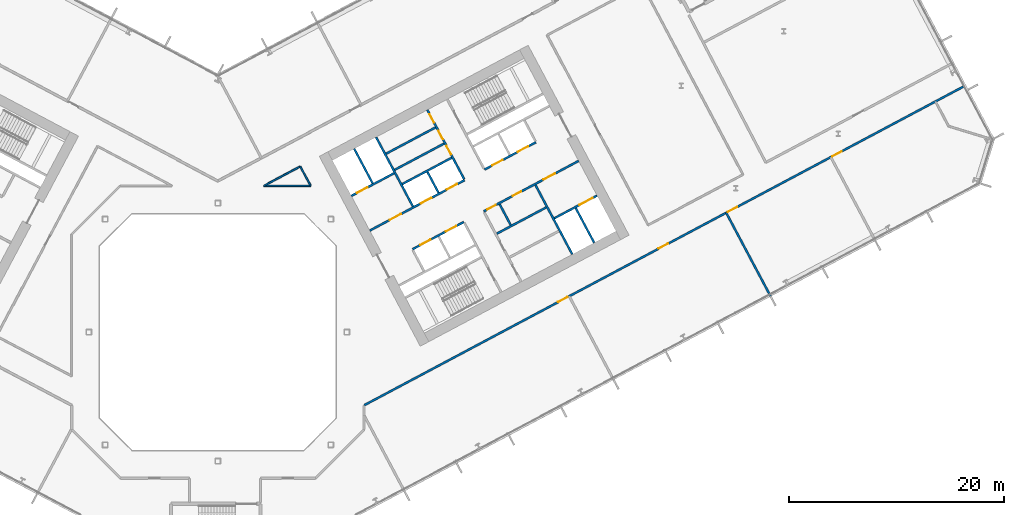
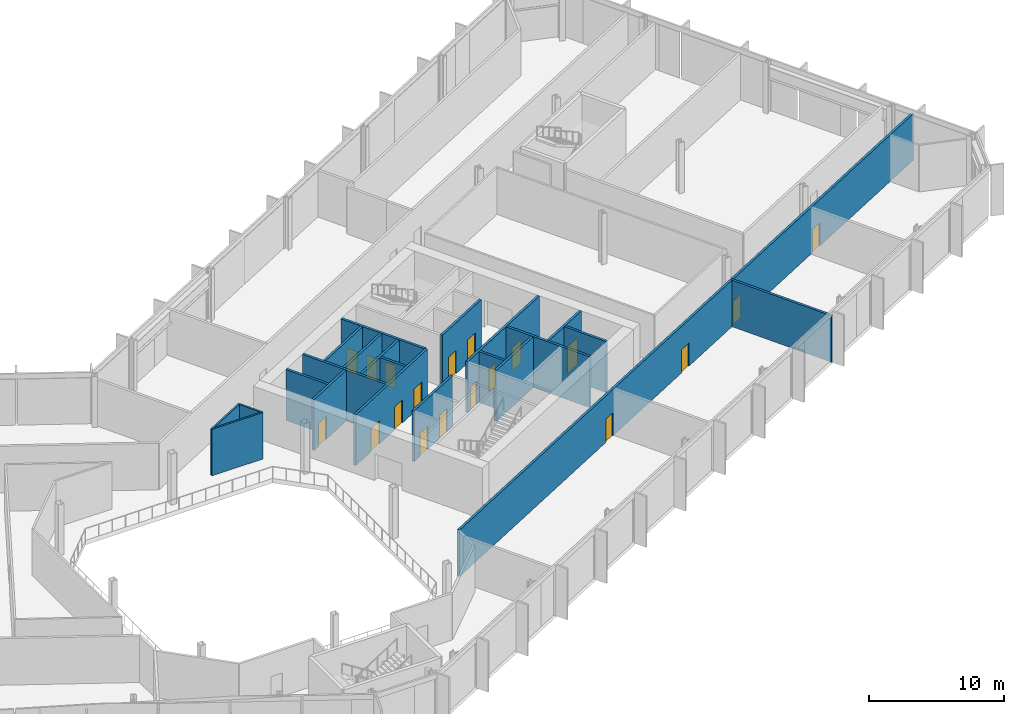
# One storey, part 17 of 32: 22 walls, 19 doors, 19 openings.
"""IFC4 building model written with IfcOpenShell, lengths in metres."""

from ifc_helpers import new_model, si_unit, direction, frame, frame_2d, origin, place, context, subcontext, project, spatial, rectangle, extrude, material, layer, layer_set, type_object, element, fill, save


model = new_model("IFC4")

# Units and contexts
model_context = context("Model", 3, precision=1e-05, world=origin(), true_north=direction((0.0, 1.0)))
body_context = subcontext(model_context, "Body", "Model", "MODEL_VIEW")
ifc_project = project(units=[si_unit("LENGTHUNIT", "METRE"), si_unit("AREAUNIT", "SQUARE_METRE"), si_unit("VOLUMEUNIT", "CUBIC_METRE"), si_unit("PLANEANGLEUNIT", "RADIAN"), si_unit("MASSUNIT", "GRAM", prefix="KILO")], contexts=[model_context])

# Site, building, storey
site_placement = place(None, origin())
site = spatial("IfcSite", under=ifc_project, at=site_placement, CompositionType="ELEMENT")
building_placement = place(site_placement, origin())
building = spatial("IfcBuilding", under=site, at=building_placement, Name="Cormorant Relay Tower", CompositionType="ELEMENT")
storey_placement = place(building_placement, frame((0.0, 0.0, 70.800048828125)))
storey = spatial("IfcBuildingStorey", under=building, at=storey_placement, Name="L13", CompositionType="ELEMENT", Elevation=70.800048828125)

# Walls
ifc_material_1 = material(Name="Concrete 40 MPa", Category="concrete")
ifc_layer_1 = layer(ifc_material_1, 0.199951171875)
ifc_layer_set_1 = layer_set([ifc_layer_1], Name="Core internal wall 200")
wall_type_1 = type_object("IfcWallType", Name="Core internal wall 200", PredefinedType="SOLIDWALL", material=ifc_layer_set_1)
for number, where, z_axis, x_axis, name in (
    (1, (20.522216796875, 12.950439453125, 0.0), (0.0, 0.0, 1.0), (-0.469401318492, 0.882984938828, 0.0), "L13 core B shaft and room wall"),
    (2, (27.236083984375, 9.951416015625, 0.0), (0.0, 0.0, 1.0), (-0.4694473164, 0.882960484464, 0.0), "L13 core B shaft and room wall"),
):
    element("IfcWall", number, at=place(storey_placement, frame(where, z_axis=z_axis, x_axis=x_axis)), inside=storey, type_object=wall_type_1, Name=name, PredefinedType="SOLIDWALL", context=body_context, shape_type="SweptSolid", body=[
        extrude(rectangle(XDim=2.199951171875, YDim=0.199951171875, at=frame_2d((1.10009765625, 0.0))), origin(), (0.0, 0.0, 1.0), 4.599853515625),
    ])
for number, where, z_axis, x_axis, name in (
    (3, (16.442626953125, 15.085205078125, 0.0), (0.0, 0.0, 1.0), (0.882953967957, 0.469459572775, 0.0), "L13 core B shaft and room wall"),
    (4, (15.64453125, 16.586181640625, 0.0), (0.0, 0.0, 1.0), (0.882953967957, 0.469459572775, 0.0), "L13 core B shaft and room wall"),
):
    element("IfcWall", number, at=place(storey_placement, frame(where, z_axis=z_axis, x_axis=x_axis)), inside=storey, type_object=wall_type_1, Name=name, PredefinedType="SOLIDWALL", context=body_context, shape_type="SweptSolid", body=[
        extrude(rectangle(XDim=5.199951171875, YDim=0.199951171875, at=frame_2d((2.60009765625, 0.0))), origin(), (0.0, 0.0, 1.0), 4.599853515625),
    ])
ifc_material_2 = material(Name="Concrete 50 MPa", Category="concrete")
ifc_layer_2 = layer(ifc_material_2, 0.199951171875)
ifc_layer_set_2 = layer_set([ifc_layer_2], Name="Core shaft wall 200")
wall_type_2 = type_object("IfcWallType", Name="Core shaft wall 200", PredefinedType="SHEAR", material=ifc_layer_set_2)
wall_1_placement = place(storey_placement, frame((14.39404296875, 13.825927734375, 0.0), z_axis=(0.0, 0.0, 1.0), x_axis=(-0.469494272526, 0.882935517501, 0.0)))
element("IfcWall", 5, at=wall_1_placement, inside=storey, type_object=wall_type_2, Name="L13 core B shaft wall", PredefinedType="SHEAR", context=body_context, shape_type="SweptSolid", body=[
    extrude(rectangle(XDim=3.64990234375, YDim=0.199951171875, at=frame_2d((1.824951171875, 0.0))), origin(), (0.0, 0.0, 1.0), 4.599853515625),
])
wall_2_placement = place(storey_placement, frame((18.138427734375, 11.682861328125, 0.0), z_axis=(0.0, 0.0, 1.0), x_axis=(-0.469480409012, 0.88294288918, 0.0)))
element("IfcWall", 6, at=wall_2_placement, inside=storey, type_object=wall_type_2, Name="L13 core B shaft wall", PredefinedType="SHEAR", context=body_context, shape_type="SweptSolid", body=[
    extrude(rectangle(XDim=7.300048828125, YDim=0.199951171875, at=frame_2d((3.64990234375, 0.0))), origin(), (0.0, 0.0, 1.0), 4.599853515625),
])

# Wall, openings, doors
wall_3_placement = place(storey_placement, frame((22.90625, 14.218017578125, 0.0), z_axis=(0.0, 0.0, 1.0), x_axis=(-0.469480409012, 0.88294288918, 0.0)))
wall_3 = element("IfcWall", 7, at=wall_3_placement, inside=storey, type_object=wall_type_2, Name="L13 core B shaft wall", PredefinedType="SHEAR", context=body_context, shape_type="SweptSolid", body=[
    extrude(rectangle(XDim=7.300048828125, YDim=0.199951171875, at=frame_2d((3.64990234375, 0.0))), origin(), (0.0, 0.0, 1.0), 4.599853515625),
])
opening_1_placement = place(wall_3_placement, frame((2.60009765625, 0.0, 0.0)))
opening_1 = element("IfcOpeningElement", 8, at=opening_1_placement, cuts=wall_3, Name="Opening CDD-121", PredefinedType="OPENING", context=body_context, shape_type="SweptSolid", body=[
    extrude(rectangle(XDim=0.89990234375, YDim=2.10009765625, at=frame_2d((0.449951171875, 1.050048828125))), frame((0.0, 0.10986328125, 0.0), z_axis=(0.0, -1.0, 0.0), x_axis=(1.0, 0.0, 0.0)), (0.0, 0.0, 1.0), 0.219970703125),
])
opening_2_placement = place(wall_3_placement, frame((4.199951171875, 0.0, 0.0)))
opening_2 = element("IfcOpeningElement", 9, at=opening_2_placement, cuts=wall_3, Name="Opening CDD-122", PredefinedType="OPENING", context=body_context, shape_type="SweptSolid", body=[
    extrude(rectangle(XDim=0.89990234375, YDim=2.10009765625, at=frame_2d((0.449951171875, 1.050048828125))), frame((0.0, 0.10986328125, 0.0), z_axis=(0.0, -1.0, 0.0), x_axis=(1.0, 0.0, 0.0)), (0.0, 0.0, 1.0), 0.219970703125),
])
opening_3_placement = place(wall_3_placement, frame((5.949951171875, 0.0, 0.0)))
opening_3 = element("IfcOpeningElement", 10, at=opening_3_placement, cuts=wall_3, Name="Opening CDD-123", PredefinedType="OPENING", context=body_context, shape_type="SweptSolid", body=[
    extrude(rectangle(XDim=0.89990234375, YDim=2.10009765625, at=frame_2d((0.449951171875, 1.050048828125))), frame((0.0, 0.10986328125, 0.0), z_axis=(0.0, -1.0, 0.0), x_axis=(1.0, 0.0, 0.0)), (0.0, 0.0, 1.0), 0.219970703125),
])
ifc_material_3 = material(Name="Steel fire door", Category="steel")
door_type_1 = type_object("IfcDoorType", Name="Core room door 900x2100", OperationType="SINGLE_SWING_LEFT", PredefinedType="DOOR", material=ifc_material_3)
door_1_placement = place(opening_1_placement, origin())
door_1 = element("IfcDoor", 11, at=door_1_placement, inside=storey, type_object=door_type_1, Name="Core room door 900x2100", OperationType="SINGLE_SWING_RIGHT", OverallHeight=2.10009765625, OverallWidth=0.89990234375, PredefinedType="DOOR", context=body_context, shape_type="SweptSolid", body=[
    extrude(rectangle(XDim=0.89990234375, YDim=2.10009765625, at=frame_2d((0.449951171875, 1.050048828125))), frame((0.0, 0.02490234375, 0.0), z_axis=(0.0, -1.0, 0.0), x_axis=(1.0, 0.0, 0.0)), (0.0, 0.0, 1.0), 0.050048828125),
])
fill(opening_1, door_1)
door_2_placement = place(opening_2_placement, origin())
door_2 = element("IfcDoor", 12, at=door_2_placement, inside=storey, type_object=door_type_1, Name="Core room door 900x2100", OperationType="SINGLE_SWING_RIGHT", OverallHeight=2.10009765625, OverallWidth=0.89990234375, PredefinedType="DOOR", context=body_context, shape_type="SweptSolid", body=[
    extrude(rectangle(XDim=0.89990234375, YDim=2.10009765625, at=frame_2d((0.449951171875, 1.050048828125))), frame((0.0, 0.02490234375, 0.0), z_axis=(0.0, -1.0, 0.0), x_axis=(1.0, 0.0, 0.0)), (0.0, 0.0, 1.0), 0.050048828125),
])
fill(opening_2, door_2)
door_3_placement = place(opening_3_placement, origin())
door_3 = element("IfcDoor", 13, at=door_3_placement, inside=storey, type_object=door_type_1, Name="Core room door 900x2100", OperationType="SINGLE_SWING_LEFT", OverallHeight=2.10009765625, OverallWidth=0.89990234375, PredefinedType="DOOR", context=body_context, shape_type="SweptSolid", body=[
    extrude(rectangle(XDim=0.89990234375, YDim=2.10009765625, at=frame_2d((0.449951171875, 1.050048828125))), frame((0.0, 0.02490234375, 0.0), z_axis=(0.0, -1.0, 0.0), x_axis=(1.0, 0.0, 0.0)), (0.0, 0.0, 1.0), 0.050048828125),
])
fill(opening_3, door_3)

# Walls
wall_4_placement = place(storey_placement, frame((32.968017578125, 7.222900390625, 0.0), z_axis=(0.0, 0.0, 1.0), x_axis=(-0.469480409012, 0.88294288918, 0.0)))
element("IfcWall", 14, at=wall_4_placement, inside=storey, type_object=wall_type_2, Name="L13 core B shaft wall", PredefinedType="SHEAR", context=body_context, shape_type="SweptSolid", body=[
    extrude(rectangle(XDim=7.300048828125, YDim=0.199951171875, at=frame_2d((3.64990234375, 0.0))), origin(), (0.0, 0.0, 1.0), 4.599853515625),
])
wall_5_placement = place(storey_placement, frame((34.998779296875, 8.302734375, 0.0), z_axis=(0.0, 0.0, 1.0), x_axis=(-0.4694665462, 0.882950260207, 0.0)))
element("IfcWall", 15, at=wall_5_placement, inside=storey, type_object=wall_type_2, Name="L13 core B shaft wall", PredefinedType="SHEAR", context=body_context, shape_type="SweptSolid", body=[
    extrude(rectangle(XDim=3.650146484375, YDim=0.199951171875, at=frame_2d((1.8251953125, 0.0))), origin(), (0.0, 0.0, 1.0), 4.599853515625),
])

# Wall, opening, door
wall_6_placement = place(storey_placement, frame((31.295654296875, 10.5810546875, 0.0), z_axis=(0.0, 0.0, 1.0), x_axis=(0.882960433586, 0.469447412093, 0.0)))
wall_6 = element("IfcWall", 16, at=wall_6_placement, inside=storey, type_object=wall_type_2, Name="L13 core B shaft wall", PredefinedType="SHEAR", context=body_context, shape_type="SweptSolid", body=[
    extrude(rectangle(XDim=4.5, YDim=0.199951171875, at=frame_2d((2.25, 0.0))), origin(), (0.0, 0.0, 1.0), 4.599853515625),
])
opening_4_placement = place(wall_6_placement, frame((2.64990234375, 0.0, 0.0)))
opening_4 = element("IfcOpeningElement", 17, at=opening_4_placement, cuts=wall_6, Name="Opening LD3-010", PredefinedType="OPENING", context=body_context, shape_type="SweptSolid", body=[
    extrude(rectangle(XDim=1.39990234375, YDim=2.39990234375, at=frame_2d((0.699951171875, 1.199951171875))), frame((0.0, 0.10986328125, 0.0), z_axis=(0.0, -1.0, 0.0), x_axis=(1.0, 0.0, 0.0)), (0.0, 0.0, 1.0), 0.219970703125),
])
ifc_material_4 = material(Name="Stainless steel 316", Category="steel")
door_type_2 = type_object("IfcDoorType", Name="Lift landing door 1400x2400", OperationType="DOUBLE_DOOR_SLIDING", PredefinedType="DOOR", material=ifc_material_4)
door_4_placement = place(opening_4_placement, origin())
door_4 = element("IfcDoor", 18, at=door_4_placement, inside=storey, type_object=door_type_2, Name="SV2 landing door", OperationType="DOUBLE_DOOR_SLIDING", OverallHeight=2.39990234375, OverallWidth=1.39990234375, PredefinedType="DOOR", context=body_context, shape_type="SweptSolid", body=[
    extrude(rectangle(XDim=1.39990234375, YDim=2.39990234375, at=frame_2d((0.699951171875, 1.199951171875))), frame((0.0, 0.02490234375, 0.0), z_axis=(0.0, -1.0, 0.0), x_axis=(1.0, 0.0, 0.0)), (0.0, 0.0, 1.0), 0.050048828125),
])
fill(opening_4, door_4)

# Wall
wall_7_placement = place(storey_placement, frame((25.94091796875, 9.149658203125, 0.0), z_axis=(0.0, 0.0, 1.0), x_axis=(0.882953967957, 0.469459572775, 0.0)))
element("IfcWall", 19, at=wall_7_placement, inside=storey, type_object=wall_type_2, Name="L13 core B shaft wall", PredefinedType="SHEAR", context=body_context, shape_type="SweptSolid", body=[
    extrude(rectangle(XDim=5.199951171875, YDim=0.199951171875, at=frame_2d((2.60009765625, 0.0))), origin(), (0.0, 0.0, 1.0), 4.599853515625),
])

# Wall, openings, doors
wall_8_placement = place(storey_placement, frame((18.103759765625, 7.70068359375, 0.0), z_axis=(0.0, 0.0, 1.0), x_axis=(0.882952937579, 0.469461510692, 0.0)))
wall_8 = element("IfcWall", 20, at=wall_8_placement, inside=storey, type_object=wall_type_2, Name="L13 core B shaft wall", PredefinedType="SHEAR", context=body_context, shape_type="SweptSolid", body=[
    extrude(rectangle(XDim=5.400146484375, YDim=0.199951171875, at=frame_2d((2.7001953125, 0.0))), origin(), (0.0, 0.0, 1.0), 4.599853515625),
])
opening_5_placement = place(wall_8_placement, frame((0.800048828125, 0.0, 0.0)))
opening_5 = element("IfcOpeningElement", 21, at=opening_5_placement, cuts=wall_8, Name="Opening LD1-032", PredefinedType="OPENING", context=body_context, shape_type="SweptSolid", body=[
    extrude(rectangle(XDim=1.10009765625, YDim=2.10009765625, at=frame_2d((0.550048828125, 1.050048828125))), frame((0.0, 0.10986328125, 0.0), z_axis=(0.0, -1.0, 0.0), x_axis=(1.0, 0.0, 0.0)), (0.0, 0.0, 1.0), 0.219970703125),
])
opening_6_placement = place(wall_8_placement, frame((3.5, 0.0, 0.0)))
opening_6 = element("IfcOpeningElement", 22, at=opening_6_placement, cuts=wall_8, Name="Opening LD1-033", PredefinedType="OPENING", context=body_context, shape_type="SweptSolid", body=[
    extrude(rectangle(XDim=1.10009765625, YDim=2.10009765625, at=frame_2d((0.550048828125, 1.050048828125))), frame((0.0, 0.10986328125, 0.0), z_axis=(0.0, -1.0, 0.0), x_axis=(1.0, 0.0, 0.0)), (0.0, 0.0, 1.0), 0.219970703125),
])
ifc_material_5 = material(Name="Stainless steel 316", Category="steel")
door_type_3 = type_object("IfcDoorType", Name="Lift landing door 1100x2100", OperationType="DOUBLE_DOOR_SLIDING", PredefinedType="DOOR", material=ifc_material_5)
door_5_placement = place(opening_5_placement, origin())
door_5 = element("IfcDoor", 23, at=door_5_placement, inside=storey, type_object=door_type_3, Name="LR5 landing door", OperationType="DOUBLE_DOOR_SLIDING", OverallHeight=2.10009765625, OverallWidth=1.10009765625, PredefinedType="DOOR", context=body_context, shape_type="SweptSolid", body=[
    extrude(rectangle(XDim=1.10009765625, YDim=2.10009765625, at=frame_2d((0.550048828125, 1.050048828125))), frame((0.0, 0.02490234375, 0.0), z_axis=(0.0, -1.0, 0.0), x_axis=(1.0, 0.0, 0.0)), (0.0, 0.0, 1.0), 0.050048828125),
])
fill(opening_5, door_5)
door_6_placement = place(opening_6_placement, origin())
door_6 = element("IfcDoor", 24, at=door_6_placement, inside=storey, type_object=door_type_3, Name="LR6 landing door", OperationType="DOUBLE_DOOR_SLIDING", OverallHeight=2.10009765625, OverallWidth=1.10009765625, PredefinedType="DOOR", context=body_context, shape_type="SweptSolid", body=[
    extrude(rectangle(XDim=1.10009765625, YDim=2.10009765625, at=frame_2d((0.550048828125, 1.050048828125))), frame((0.0, 0.02490234375, 0.0), z_axis=(0.0, -1.0, 0.0), x_axis=(1.0, 0.0, 0.0)), (0.0, 0.0, 1.0), 0.050048828125),
])
fill(opening_6, door_6)

wall_9_placement = place(storey_placement, frame((24.72607421875, 11.2216796875, 0.0), z_axis=(0.0, 0.0, 1.0), x_axis=(0.882940221191, 0.469485426614, 0.0)))
wall_9 = element("IfcWall", 25, at=wall_9_placement, inside=storey, type_object=wall_type_2, Name="L13 core B shaft wall", PredefinedType="SHEAR", context=body_context, shape_type="SweptSolid", body=[
    extrude(rectangle(XDim=10.0, YDim=0.199951171875, at=frame_2d((5.0, 0.0))), origin(), (0.0, 0.0, 1.0), 4.599853515625),
])
opening_7_placement = place(wall_9_placement, frame((6.300048828125, 0.0, 0.0)))
opening_7 = element("IfcOpeningElement", 26, at=opening_7_placement, cuts=wall_9, Name="Opening CDC-020", PredefinedType="OPENING", context=body_context, shape_type="SweptSolid", body=[
    extrude(rectangle(XDim=1.199951171875, YDim=2.10009765625, at=frame_2d((0.60009765625, 1.050048828125))), frame((0.0, 0.10986328125, 0.0), z_axis=(0.0, -1.0, 0.0), x_axis=(1.0, 0.0, 0.0)), (0.0, 0.0, 1.0), 0.219970703125),
])
opening_8_placement = place(wall_9_placement, frame((0.360107421875, 0.0, 0.0)))
opening_8 = element("IfcOpeningElement", 27, at=opening_8_placement, cuts=wall_9, Name="Opening CDD-119", PredefinedType="OPENING", context=body_context, shape_type="SweptSolid", body=[
    extrude(rectangle(XDim=0.89990234375, YDim=2.10009765625, at=frame_2d((0.449951171875, 1.050048828125))), frame((0.0, 0.10986328125, 0.0), z_axis=(0.0, -1.0, 0.0), x_axis=(1.0, 0.0, 0.0)), (0.0, 0.0, 1.0), 0.219970703125),
])
opening_9_placement = place(wall_9_placement, frame((3.06005859375, 0.0, 0.0)))
opening_9 = element("IfcOpeningElement", 28, at=opening_9_placement, cuts=wall_9, Name="Opening CDD-120", PredefinedType="OPENING", context=body_context, shape_type="SweptSolid", body=[
    extrude(rectangle(XDim=0.89990234375, YDim=2.10009765625, at=frame_2d((0.449951171875, 1.050048828125))), frame((0.0, 0.10986328125, 0.0), z_axis=(0.0, -1.0, 0.0), x_axis=(1.0, 0.0, 0.0)), (0.0, 0.0, 1.0), 0.219970703125),
])
ifc_material_6 = material(Name="Steel fire door", Category="steel")
door_type_4 = type_object("IfcDoorType", Name="Core lobby door 1200x2100", OperationType="SINGLE_SWING_LEFT", PredefinedType="DOOR", material=ifc_material_6)
door_7_placement = place(opening_7_placement, frame((1.199951171875, 0.0, 0.0), z_axis=(0.0, 0.0, 1.0), x_axis=(-1.0, 0.0, 0.0)))
door_7 = element("IfcDoor", 29, at=door_7_placement, inside=storey, type_object=door_type_4, Name="Core lobby door 1200x2100", OperationType="SINGLE_SWING_RIGHT", OverallHeight=2.10009765625, OverallWidth=1.199951171875, PredefinedType="DOOR", context=body_context, shape_type="SweptSolid", body=[
    extrude(rectangle(XDim=1.199951171875, YDim=2.10009765625, at=frame_2d((0.60009765625, 1.050048828125))), frame((0.0, 0.02490234375, 0.0), z_axis=(0.0, -1.0, 0.0), x_axis=(1.0, 0.0, 0.0)), (0.0, 0.0, 1.0), 0.050048828125),
])
fill(opening_7, door_7)
door_8_placement = place(opening_8_placement, frame((0.89990234375, 0.0, 0.0), z_axis=(0.0, 0.0, 1.0), x_axis=(-1.0, 0.0, 0.0)))
door_8 = element("IfcDoor", 30, at=door_8_placement, inside=storey, type_object=door_type_1, Name="Core room door 900x2100", OperationType="SINGLE_SWING_RIGHT", OverallHeight=2.10009765625, OverallWidth=0.89990234375, PredefinedType="DOOR", context=body_context, shape_type="SweptSolid", body=[
    extrude(rectangle(XDim=0.89990234375, YDim=2.10009765625, at=frame_2d((0.449951171875, 1.050048828125))), frame((0.0, 0.02490234375, 0.0), z_axis=(0.0, -1.0, 0.0), x_axis=(1.0, 0.0, 0.0)), (0.0, 0.0, 1.0), 0.050048828125),
])
fill(opening_8, door_8)
door_9_placement = place(opening_9_placement, frame((0.89990234375, 0.0, 0.0), z_axis=(0.0, 0.0, 1.0), x_axis=(-1.0, 0.0, 0.0)))
door_9 = element("IfcDoor", 31, at=door_9_placement, inside=storey, type_object=door_type_1, Name="Core room door 900x2100", OperationType="SINGLE_SWING_RIGHT", OverallHeight=2.10009765625, OverallWidth=0.89990234375, PredefinedType="DOOR", context=body_context, shape_type="SweptSolid", body=[
    extrude(rectangle(XDim=0.89990234375, YDim=2.10009765625, at=frame_2d((0.449951171875, 1.050048828125))), frame((0.0, 0.02490234375, 0.0), z_axis=(0.0, -1.0, 0.0), x_axis=(1.0, 0.0, 0.0)), (0.0, 0.0, 1.0), 0.050048828125),
])
fill(opening_9, door_9)

wall_10_placement = place(storey_placement, frame((14.123779296875, 9.43505859375, 0.0), z_axis=(0.0, 0.0, 1.0), x_axis=(0.882940221191, 0.469485426614, 0.0)))
wall_10 = element("IfcWall", 32, at=wall_10_placement, inside=storey, type_object=wall_type_2, Name="L13 core B shaft wall", PredefinedType="SHEAR", context=body_context, shape_type="SweptSolid", body=[
    extrude(rectangle(XDim=10.0, YDim=0.199951171875, at=frame_2d((5.0, 0.0))), origin(), (0.0, 0.0, 1.0), 4.599853515625),
])
opening_10_placement = place(wall_10_placement, frame((2.10009765625, 0.0, 0.0)))
opening_10 = element("IfcOpeningElement", 33, at=opening_10_placement, cuts=wall_10, Name="Opening CDC-019", PredefinedType="OPENING", context=body_context, shape_type="SweptSolid", body=[
    extrude(rectangle(XDim=1.199951171875, YDim=2.10009765625, at=frame_2d((0.60009765625, 1.050048828125))), frame((0.0, 0.10986328125, 0.0), z_axis=(0.0, -1.0, 0.0), x_axis=(1.0, 0.0, 0.0)), (0.0, 0.0, 1.0), 0.219970703125),
])
opening_11_placement = place(wall_10_placement, frame((5.39990234375, 0.0, 0.0)))
opening_11 = element("IfcOpeningElement", 34, at=opening_11_placement, cuts=wall_10, Name="Opening LD1-028", PredefinedType="OPENING", context=body_context, shape_type="SweptSolid", body=[
    extrude(rectangle(XDim=1.10009765625, YDim=2.10009765625, at=frame_2d((0.550048828125, 1.050048828125))), frame((0.0, 0.10986328125, 0.0), z_axis=(0.0, -1.0, 0.0), x_axis=(1.0, 0.0, 0.0)), (0.0, 0.0, 1.0), 0.219970703125),
])
opening_12_placement = place(wall_10_placement, frame((8.10009765625, 0.0, 0.0)))
opening_12 = element("IfcOpeningElement", 35, at=opening_12_placement, cuts=wall_10, Name="Opening LD1-029", PredefinedType="OPENING", context=body_context, shape_type="SweptSolid", body=[
    extrude(rectangle(XDim=1.10009765625, YDim=2.10009765625, at=frame_2d((0.550048828125, 1.050048828125))), frame((0.0, 0.10986328125, 0.0), z_axis=(0.0, -1.0, 0.0), x_axis=(1.0, 0.0, 0.0)), (0.0, 0.0, 1.0), 0.219970703125),
])
door_10_placement = place(opening_10_placement, origin())
door_10 = element("IfcDoor", 36, at=door_10_placement, inside=storey, type_object=door_type_4, Name="Core lobby door 1200x2100", OperationType="SINGLE_SWING_RIGHT", OverallHeight=2.10009765625, OverallWidth=1.199951171875, PredefinedType="DOOR", context=body_context, shape_type="SweptSolid", body=[
    extrude(rectangle(XDim=1.199951171875, YDim=2.10009765625, at=frame_2d((0.60009765625, 1.050048828125))), frame((0.0, 0.02490234375, 0.0), z_axis=(0.0, -1.0, 0.0), x_axis=(1.0, 0.0, 0.0)), (0.0, 0.0, 1.0), 0.050048828125),
])
fill(opening_10, door_10)
door_11_placement = place(opening_11_placement, origin())
door_11 = element("IfcDoor", 37, at=door_11_placement, inside=storey, type_object=door_type_3, Name="LR1 landing door", OperationType="DOUBLE_DOOR_SLIDING", OverallHeight=2.10009765625, OverallWidth=1.10009765625, PredefinedType="DOOR", context=body_context, shape_type="SweptSolid", body=[
    extrude(rectangle(XDim=1.10009765625, YDim=2.10009765625, at=frame_2d((0.550048828125, 1.050048828125))), frame((0.0, 0.02490234375, 0.0), z_axis=(0.0, -1.0, 0.0), x_axis=(1.0, 0.0, 0.0)), (0.0, 0.0, 1.0), 0.050048828125),
])
fill(opening_11, door_11)
door_12_placement = place(opening_12_placement, origin())
door_12 = element("IfcDoor", 38, at=door_12_placement, inside=storey, type_object=door_type_3, Name="LR2 landing door", OperationType="DOUBLE_DOOR_SLIDING", OverallHeight=2.10009765625, OverallWidth=1.10009765625, PredefinedType="DOOR", context=body_context, shape_type="SweptSolid", body=[
    extrude(rectangle(XDim=1.10009765625, YDim=2.10009765625, at=frame_2d((0.550048828125, 1.050048828125))), frame((0.0, 0.02490234375, 0.0), z_axis=(0.0, -1.0, 0.0), x_axis=(1.0, 0.0, 0.0)), (0.0, 0.0, 1.0), 0.050048828125),
])
fill(opening_12, door_12)

wall_11_placement = place(storey_placement, frame((24.807373046875, 15.11572265625, 0.0), z_axis=(0.0, 0.0, 1.0), x_axis=(0.882942972946, 0.469480251476, 0.0)))
wall_11 = element("IfcWall", 39, at=wall_11_placement, inside=storey, type_object=wall_type_2, Name="L13 core B shaft wall", PredefinedType="SHEAR", context=body_context, shape_type="SweptSolid", body=[
    extrude(rectangle(XDim=5.39990234375, YDim=0.199951171875, at=frame_2d((2.699951171875, 0.0))), origin(), (0.0, 0.0, 1.0), 4.599853515625),
])
opening_13_placement = place(wall_11_placement, frame((0.800048828125, 0.0, 0.0)))
opening_13 = element("IfcOpeningElement", 40, at=opening_13_placement, cuts=wall_11, Name="Opening LD1-030", PredefinedType="OPENING", context=body_context, shape_type="SweptSolid", body=[
    extrude(rectangle(XDim=1.10009765625, YDim=2.10009765625, at=frame_2d((0.550048828125, 1.050048828125))), frame((0.0, 0.10986328125, 0.0), z_axis=(0.0, -1.0, 0.0), x_axis=(1.0, 0.0, 0.0)), (0.0, 0.0, 1.0), 0.219970703125),
])
opening_14_placement = place(wall_11_placement, frame((3.5, 0.0, 0.0)))
opening_14 = element("IfcOpeningElement", 41, at=opening_14_placement, cuts=wall_11, Name="Opening LD1-031", PredefinedType="OPENING", context=body_context, shape_type="SweptSolid", body=[
    extrude(rectangle(XDim=1.10009765625, YDim=2.10009765625, at=frame_2d((0.550048828125, 1.050048828125))), frame((0.0, 0.10986328125, 0.0), z_axis=(0.0, -1.0, 0.0), x_axis=(1.0, 0.0, 0.0)), (0.0, 0.0, 1.0), 0.219970703125),
])
door_13_placement = place(opening_13_placement, origin())
door_13 = element("IfcDoor", 42, at=door_13_placement, inside=storey, type_object=door_type_3, Name="LR3 landing door", OperationType="DOUBLE_DOOR_SLIDING", OverallHeight=2.10009765625, OverallWidth=1.10009765625, PredefinedType="DOOR", context=body_context, shape_type="SweptSolid", body=[
    extrude(rectangle(XDim=1.10009765625, YDim=2.10009765625, at=frame_2d((0.550048828125, 1.050048828125))), frame((0.0, 0.02490234375, 0.0), z_axis=(0.0, -1.0, 0.0), x_axis=(1.0, 0.0, 0.0)), (0.0, 0.0, 1.0), 0.050048828125),
])
fill(opening_13, door_13)
door_14_placement = place(opening_14_placement, origin())
door_14 = element("IfcDoor", 43, at=door_14_placement, inside=storey, type_object=door_type_3, Name="LR4 landing door", OperationType="DOUBLE_DOOR_SLIDING", OverallHeight=2.10009765625, OverallWidth=1.10009765625, PredefinedType="DOOR", context=body_context, shape_type="SweptSolid", body=[
    extrude(rectangle(XDim=1.10009765625, YDim=2.10009765625, at=frame_2d((0.550048828125, 1.050048828125))), frame((0.0, 0.02490234375, 0.0), z_axis=(0.0, -1.0, 0.0), x_axis=(1.0, 0.0, 0.0)), (0.0, 0.0, 1.0), 0.050048828125),
])
fill(opening_14, door_14)

# Wall
wall_12_placement = place(storey_placement, frame((17.146728515625, 13.7607421875, 0.0), z_axis=(0.0, 0.0, 1.0), x_axis=(0.882964314875, 0.469440111896, 0.0)))
element("IfcWall", 44, at=wall_12_placement, inside=storey, type_object=wall_type_2, Name="L13 core B shaft wall", PredefinedType="SHEAR", context=body_context, shape_type="SweptSolid", body=[
    extrude(rectangle(XDim=5.2001953125, YDim=0.199951171875, at=frame_2d((2.60009765625, 0.0))), origin(), (0.0, 0.0, 1.0), 4.599853515625),
])

# Wall, opening, door
wall_13_placement = place(storey_placement, frame((12.41015625, 12.657958984375, 0.0), z_axis=(0.0, 0.0, 1.0), x_axis=(0.8829484765, 0.469469900894, 0.0)))
wall_13 = element("IfcWall", 45, at=wall_13_placement, inside=storey, type_object=wall_type_2, Name="L13 core B shaft wall", PredefinedType="SHEAR", context=body_context, shape_type="SweptSolid", body=[
    extrude(rectangle(XDim=4.499755859375, YDim=0.199951171875, at=frame_2d((2.25, 0.0))), origin(), (0.0, 0.0, 1.0), 4.599853515625),
])
opening_15_placement = place(wall_13_placement, frame((0.60009765625, 0.0, 0.0)))
opening_15 = element("IfcOpeningElement", 46, at=opening_15_placement, cuts=wall_13, Name="Opening LD1-034", PredefinedType="OPENING", context=body_context, shape_type="SweptSolid", body=[
    extrude(rectangle(XDim=1.10009765625, YDim=2.10009765625, at=frame_2d((0.550048828125, 1.050048828125))), frame((0.0, 0.10986328125, 0.0), z_axis=(0.0, -1.0, 0.0), x_axis=(1.0, 0.0, 0.0)), (0.0, 0.0, 1.0), 0.219970703125),
])
door_15_placement = place(opening_15_placement, origin())
door_15 = element("IfcDoor", 47, at=door_15_placement, inside=storey, type_object=door_type_3, Name="FF2 landing door", OperationType="DOUBLE_DOOR_SLIDING", OverallHeight=2.10009765625, OverallWidth=1.10009765625, PredefinedType="DOOR", context=body_context, shape_type="SweptSolid", body=[
    extrude(rectangle(XDim=1.10009765625, YDim=2.10009765625, at=frame_2d((0.550048828125, 1.050048828125))), frame((0.0, 0.02490234375, 0.0), z_axis=(0.0, -1.0, 0.0), x_axis=(1.0, 0.0, 0.0)), (0.0, 0.0, 1.0), 0.050048828125),
])
fill(opening_15, door_15)

# Wall, openings, doors
ifc_material_7 = material(Name="Fire-rated gypsum board partition")
ifc_layer_3 = layer(ifc_material_7, 0.199951171875)
ifc_layer_set_3 = layer_set([ifc_layer_3], Name="Fire-rated gypsum partition 200")
wall_type_3 = type_object("IfcWallType", Name="Fire-rated gypsum partition 200", PredefinedType="PARTITIONING", material=ifc_layer_set_3)
wall_14_placement = place(storey_placement, frame((69.570068359375, 22.947998046875, 0.0), z_axis=(0.0, 0.0, 1.0), x_axis=(-0.882939582192, -0.469486628349, 0.0)))
wall_14 = element("IfcWall", 48, at=wall_14_placement, inside=storey, type_object=wall_type_3, Name="wall/L13/part/35", PredefinedType="PARTITIONING", context=body_context, shape_type="SweptSolid", body=[
    extrude(rectangle(XDim=63.390380859375, YDim=0.199951171875, at=frame_2d((31.6953125, 0.0))), origin(), (0.0, 0.0, 1.0), 4.199951171875),
])
opening_16_placement = place(wall_14_placement, frame((41.970947265625, 0.0, 0.0)))
opening_16 = element("IfcOpeningElement", 49, at=opening_16_placement, cuts=wall_14, Name="Opening FD1-077", PredefinedType="OPENING", context=body_context, shape_type="SweptSolid", body=[
    extrude(rectangle(XDim=1.0, YDim=2.10009765625, at=frame_2d((0.5, 1.050048828125))), frame((0.0, 0.10986328125, 0.0), z_axis=(0.0, -1.0, 0.0), x_axis=(1.0, 0.0, 0.0)), (0.0, 0.0, 1.0), 0.219970703125),
])
opening_17_placement = place(wall_14_placement, frame((31.37109375, 0.0, 0.0)))
opening_17 = element("IfcOpeningElement", 50, at=opening_17_placement, cuts=wall_14, Name="Opening FD1-078", PredefinedType="OPENING", context=body_context, shape_type="SweptSolid", body=[
    extrude(rectangle(XDim=1.0, YDim=2.10009765625, at=frame_2d((0.5, 1.050048828125))), frame((0.0, 0.10986328125, 0.0), z_axis=(0.0, -1.0, 0.0), x_axis=(1.0, 0.0, 0.0)), (0.0, 0.0, 1.0), 0.219970703125),
])
opening_18_placement = place(wall_14_placement, frame((24.071044921875, 0.0, 0.0)))
opening_18 = element("IfcOpeningElement", 51, at=opening_18_placement, cuts=wall_14, Name="Opening FD1-079", PredefinedType="OPENING", context=body_context, shape_type="SweptSolid", body=[
    extrude(rectangle(XDim=1.0, YDim=2.10009765625, at=frame_2d((0.5, 1.050048828125))), frame((0.0, 0.10986328125, 0.0), z_axis=(0.0, -1.0, 0.0), x_axis=(1.0, 0.0, 0.0)), (0.0, 0.0, 1.0), 0.219970703125),
])
opening_19_placement = place(wall_14_placement, frame((13.071044921875, 0.0, 0.0)))
opening_19 = element("IfcOpeningElement", 52, at=opening_19_placement, cuts=wall_14, Name="Opening FD1-080", PredefinedType="OPENING", context=body_context, shape_type="SweptSolid", body=[
    extrude(rectangle(XDim=1.0, YDim=2.10009765625, at=frame_2d((0.5, 1.050048828125))), frame((0.0, 0.10986328125, 0.0), z_axis=(0.0, -1.0, 0.0), x_axis=(1.0, 0.0, 0.0)), (0.0, 0.0, 1.0), 0.219970703125),
])
ifc_material_8 = material(Name="Fire-rated steel door", Category="steel")
door_type_5 = type_object("IfcDoorType", Name="Fire door 1000 x 2100", OperationType="SINGLE_SWING_LEFT", PredefinedType="DOOR", material=ifc_material_8)
door_16_placement = place(opening_16_placement, origin())
door_16 = element("IfcDoor", 53, at=door_16_placement, inside=storey, type_object=door_type_5, Name="door/L13/13", OperationType="SINGLE_SWING_LEFT", OverallHeight=2.10009765625, OverallWidth=1.0, PredefinedType="DOOR", context=body_context, shape_type="SweptSolid", body=[
    extrude(rectangle(XDim=1.0, YDim=2.10009765625, at=frame_2d((0.5, 1.050048828125))), frame((0.0, 0.02490234375, 0.0), z_axis=(0.0, -1.0, 0.0), x_axis=(1.0, 0.0, 0.0)), (0.0, 0.0, 1.0), 0.050048828125),
])
fill(opening_16, door_16)
door_17_placement = place(opening_17_placement, origin())
door_17 = element("IfcDoor", 54, at=door_17_placement, inside=storey, type_object=door_type_5, Name="door/L13/14", OperationType="SINGLE_SWING_RIGHT", OverallHeight=2.10009765625, OverallWidth=1.0, PredefinedType="DOOR", context=body_context, shape_type="SweptSolid", body=[
    extrude(rectangle(XDim=1.0, YDim=2.10009765625, at=frame_2d((0.5, 1.050048828125))), frame((0.0, 0.02490234375, 0.0), z_axis=(0.0, -1.0, 0.0), x_axis=(1.0, 0.0, 0.0)), (0.0, 0.0, 1.0), 0.050048828125),
])
fill(opening_17, door_17)
door_18_placement = place(opening_18_placement, origin())
door_18 = element("IfcDoor", 55, at=door_18_placement, inside=storey, type_object=door_type_5, Name="door/L13/15", OperationType="SINGLE_SWING_RIGHT", OverallHeight=2.10009765625, OverallWidth=1.0, PredefinedType="DOOR", context=body_context, shape_type="SweptSolid", body=[
    extrude(rectangle(XDim=1.0, YDim=2.10009765625, at=frame_2d((0.5, 1.050048828125))), frame((0.0, 0.02490234375, 0.0), z_axis=(0.0, -1.0, 0.0), x_axis=(1.0, 0.0, 0.0)), (0.0, 0.0, 1.0), 0.050048828125),
])
fill(opening_18, door_18)
door_19_placement = place(opening_19_placement, origin())
door_19 = element("IfcDoor", 56, at=door_19_placement, inside=storey, type_object=door_type_5, Name="door/L13/16", OperationType="SINGLE_SWING_RIGHT", OverallHeight=2.10009765625, OverallWidth=1.0, PredefinedType="DOOR", context=body_context, shape_type="SweptSolid", body=[
    extrude(rectangle(XDim=1.0, YDim=2.10009765625, at=frame_2d((0.5, 1.050048828125))), frame((0.0, 0.02490234375, 0.0), z_axis=(0.0, -1.0, 0.0), x_axis=(1.0, 0.0, 0.0)), (0.0, 0.0, 1.0), 0.050048828125),
])
fill(opening_19, door_19)

# Walls
wall_15_placement = place(storey_placement, frame((47.278076171875, 11.093994140625, 0.0), z_axis=(0.0, 0.0, 1.0), x_axis=(0.469337789067, -0.883018708609, 0.0)))
element("IfcWall", 57, at=wall_15_placement, inside=storey, type_object=wall_type_3, Name="wall/L13/part/43", PredefinedType="PARTITIONING", context=body_context, shape_type="SweptSolid", body=[
    extrude(rectangle(XDim=8.79931640625, YDim=0.199951171875, at=frame_2d((4.399658203125, 0.0))), origin(), (0.0, 0.0, 1.0), 4.199951171875),
])
ifc_material_9 = material(Name="Gypsum board partition")
ifc_layer_4 = layer(ifc_material_9, 0.14990234375)
ifc_layer_set_4 = layer_set([ifc_layer_4], Name="Gypsum board partition 150")
wall_type_4 = type_object("IfcWallType", Name="Gypsum board partition 150", PredefinedType="PARTITIONING", material=ifc_layer_set_4)
wall_16_placement = place(storey_placement, frame((8.625, 13.60009765625, 0.0), z_axis=(0.0, 0.0, 1.0), x_axis=(-0.469420518513, 0.882974731688, 0.0)))
element("IfcWall", 58, at=wall_16_placement, inside=storey, type_object=wall_type_4, Name="wall/L13/part/61", PredefinedType="PARTITIONING", context=body_context, shape_type="SweptSolid", body=[
    extrude(rectangle(XDim=2.040771484375, YDim=0.14990234375, at=frame_2d((1.0205078125, 0.0))), origin(), (0.0, 0.0, 1.0), 4.199951171875),
])
wall_17_placement = place(storey_placement, frame((7.6669921875, 15.402099609375, 0.0), z_axis=(0.0, 0.0, 1.0), x_axis=(-0.882994654303, -0.469383042378, 0.0)))
element("IfcWall", 59, at=wall_17_placement, inside=storey, type_object=wall_type_4, Name="wall/L13/part/62", PredefinedType="PARTITIONING", context=body_context, shape_type="SweptSolid", body=[
    extrude(rectangle(XDim=3.839111328125, YDim=0.14990234375, at=frame_2d((1.91943359375, 0.0))), origin(), (0.0, 0.0, 1.0), 4.199951171875),
])
wall_18_placement = place(storey_placement, frame((4.277099609375, 13.60009765625, 0.0), z_axis=(0.0, 0.0, 1.0), x_axis=(1.0, 0.0, 0.0)))
element("IfcWall", 60, at=wall_18_placement, inside=storey, type_object=wall_type_4, Name="wall/L13/part/63", PredefinedType="PARTITIONING", context=body_context, shape_type="SweptSolid", body=[
    extrude(rectangle(XDim=4.347900390625, YDim=0.14990234375, at=frame_2d((2.173828125, 0.0))), origin(), (0.0, 0.0, 1.0), 4.199951171875),
])

save(model, "model.ifc")
